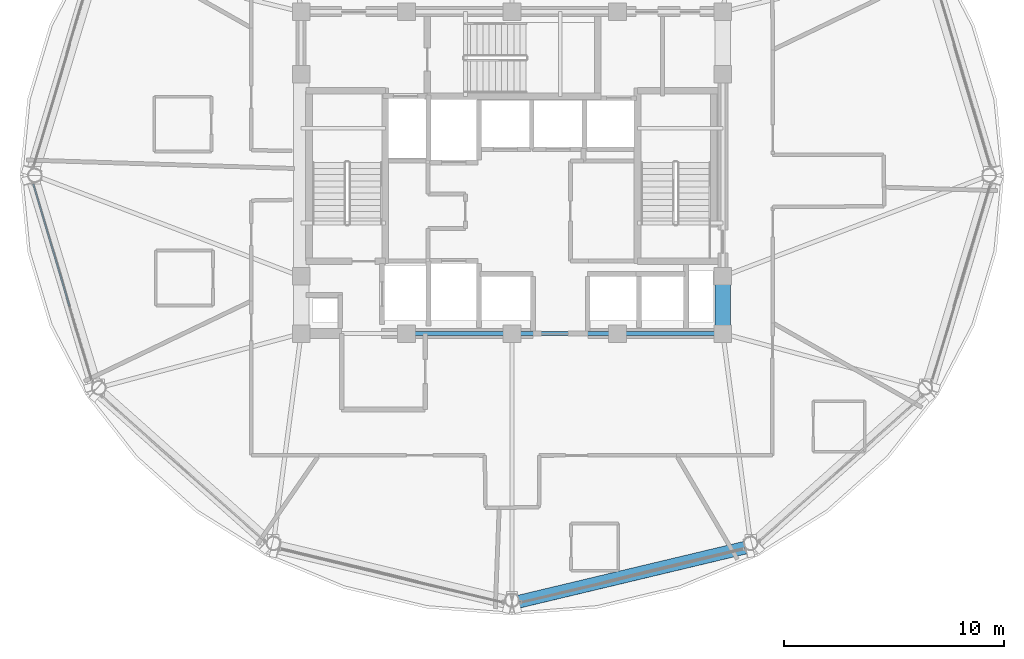
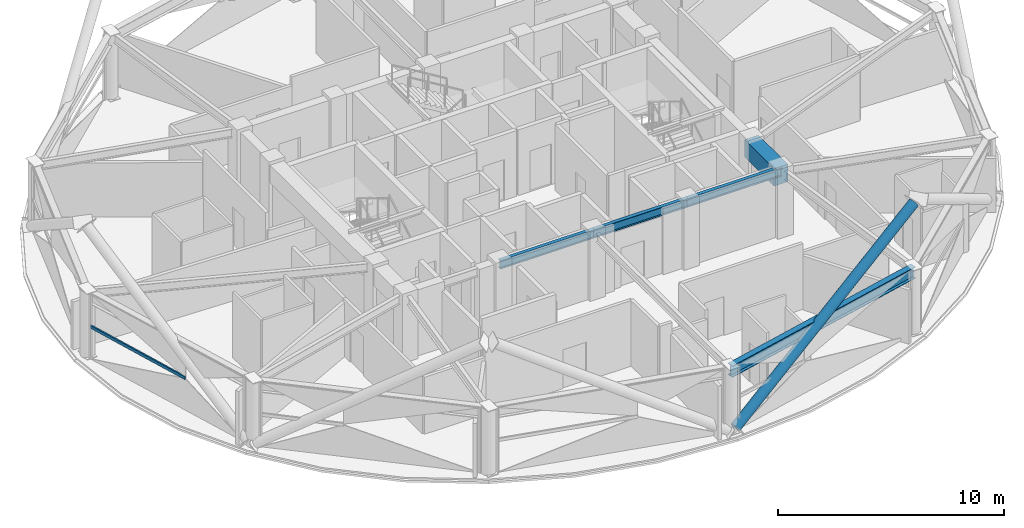
# One storey, part 6 of 29: 5 beams, 2 members, 1 element without a shape of its own.
"""IFC4 building model written with IfcOpenShell, lengths in metres."""

from ifc_helpers import new_model, si_unit, direction, frame, origin, origin_2d, place, context, subcontext, project, spatial, rectangle, hollow_rectangle, hollow_circle, i_section, extrude, material, layer, layer_set, material_profile, profile_set, type_object, element, aggregate, save


model = new_model("IFC4")

# Units and contexts
model_context = context("Model", 3, precision=1e-05, world=origin(), true_north=direction((0.0, 1.0)))
body_context = subcontext(model_context, "Body", "Model", "MODEL_VIEW")
ifc_project = project(units=[si_unit("LENGTHUNIT", "METRE"), si_unit("AREAUNIT", "SQUARE_METRE"), si_unit("VOLUMEUNIT", "CUBIC_METRE"), si_unit("PLANEANGLEUNIT", "RADIAN"), si_unit("MASSUNIT", "GRAM", prefix="KILO")], contexts=[model_context])

# Site, building, storey
site_placement = place(None, origin())
site = spatial("IfcSite", under=ifc_project, at=site_placement, CompositionType="ELEMENT")
building_placement = place(site_placement, origin())
building = spatial("IfcBuilding", under=site, at=building_placement, Name="Vantalir Tower", CompositionType="ELEMENT")
storey_placement = place(building_placement, frame((0.0, 0.0, 234.89990234375)))
storey = spatial("IfcBuildingStorey", under=building, at=storey_placement, Name="L59", CompositionType="ELEMENT", Elevation=234.89990234375)

# Beams
ifc_material_1 = material(Name="Concrete C60/75", Category="concrete")
ifc_material_profile_1 = material_profile(ifc_material_1, rectangle(XDim=0.699951171875, YDim=0.949951171875, at=origin_2d()), Name="Concrete C60/75")
ifc_profile_set_1 = profile_set([ifc_material_profile_1], Name="Concrete C60/75")
beam_type_1 = type_object("IfcBeamType", Name="BM-CB-700x950", PredefinedType="USERDEFINED", material=ifc_profile_set_1)
beam_1_placement = place(storey_placement, frame((41.10009765625, 17.800048828125, 3.09521484375), z_axis=(0.0, 1.0, 0.0), x_axis=(-1.0, 0.0, 0.0)))
element("IfcBeam", 1, at=beam_1_placement, inside=storey, type_object=beam_type_1, Name="L59 Core Coupling Girder 05", ObjectType="GIRDER", PredefinedType="USERDEFINED", context=body_context, shape_type="SweptSolid", body=[
    extrude(rectangle(XDim=0.699951171875, YDim=0.949951171875, at=origin_2d()), origin(), (0.0, 0.0, 1.0), 2.599853515625),
])
ifc_material_2 = material(Name="Steel S355", Category="steel")
ifc_material_profile_2 = material_profile(ifc_material_2, i_section(OverallWidth=0.19189453125, OverallDepth=0.462890625, WebThickness=0.010498046875, FlangeThickness=0.017578125, at=origin_2d()), Name="Steel S355")
ifc_profile_set_2 = profile_set([ifc_material_profile_2], Name="Steel S355")
beam_type_2 = type_object("IfcBeamType", Name="BM-RB-457x191", PredefinedType="BEAM", material=ifc_profile_set_2)
for number, where, z_axis, x_axis, name in (
    (2, (26.699951171875, 17.800048828125, 3.338134765625), (1.0, 0.0, 0.0), (0.0, 1.0, 0.0), "L59 Core Coupling Girder 02"),
    (3, (31.5, 17.800048828125, 3.338134765625), (1.0, 0.0, 0.0), (0.0, 1.0, 0.0), "L59 Core Coupling Girder 03"),
    (4, (36.300048828125, 17.800048828125, 3.338134765625), (1.0, 0.0, 0.0), (0.0, 1.0, 0.0), "L59 Core Coupling Girder 04"),
):
    element("IfcBeam", number, at=place(storey_placement, frame(where, z_axis=z_axis, x_axis=x_axis)), inside=storey, type_object=beam_type_2, Name=name, PredefinedType="BEAM", context=body_context, shape_type="SweptSolid", body=[
        extrude(i_section(OverallWidth=0.19189453125, OverallDepth=0.462890625, WebThickness=0.010498046875, FlangeThickness=0.017578125, at=origin_2d()), origin(), (0.0, 0.0, 1.0), 4.800048828125),
    ])
ifc_material_3 = material(Name="Steel S460", Category="steel")
ifc_material_profile_3 = material_profile(ifc_material_3, i_section(OverallWidth=0.306884765625, OverallDepth=0.6201171875, WebThickness=0.01416015625, FlangeThickness=0.023681640625, at=origin_2d()), Name="Steel S460")
ifc_profile_set_3 = profile_set([ifc_material_profile_3], Name="Steel S460")
beam_type_3 = type_object("IfcBeamType", Name="BM-RG-610x305", PredefinedType="USERDEFINED", material=ifc_profile_set_3)
beam_2_placement = place(storey_placement, frame((31.5, 5.6669921875, 3.260009765625), z_axis=(0.97271250926, 0.23201373737, 0.0), x_axis=(-0.23201373737, 0.97271250926, 0.0)))
element("IfcBeam", 5, at=beam_2_placement, inside=storey, type_object=beam_type_3, Name="L59 Circumferential Ring Girder 10", ObjectType="GIRDER", PredefinedType="USERDEFINED", context=body_context, shape_type="SweptSolid", body=[
    extrude(i_section(OverallWidth=0.306884765625, OverallDepth=0.6201171875, WebThickness=0.01416015625, FlangeThickness=0.023681640625, at=origin_2d()), origin(), (0.0, 0.0, 1.0), 11.16357421875),
])

# Curtain wall, member
ifc_material_4 = material(Name="Champagne-silver PVDF aluminium and double-silver Low-E glass", Category="aluminium")
ifc_layer = layer(ifc_material_4, 0.2099609375)
ifc_layer_set = layer_set([ifc_layer], Name="Champagne-silver PVDF aluminium and double-silver Low-E glass")
curtain_wall_type = type_object("IfcCurtainWallType", Name="CW-DIAMOND-Z3", PredefinedType="USERDEFINED", material=ifc_layer_set)
curtain_wall_placement = place(storey_placement, origin())
curtain_wall = element("IfcCurtainWall", 6, at=curtain_wall_placement, inside=storey, type_object=curtain_wall_type, Name="L59 Quilted Pyramid-Diamond Curtain Wall S07", ObjectType="UNITISED CURTAIN WALL", PredefinedType="USERDEFINED")
ifc_material_5 = material(Name="Champagne-silver PVDF aluminium 6063-T6", Category="aluminium")
ifc_material_profile_4 = material_profile(ifc_material_5, hollow_rectangle(XDim=0.074951171875, YDim=0.159912109375, WallThickness=0.00390625, at=origin_2d()), Name="Champagne-silver PVDF aluminium 6063-T6")
ifc_profile_set_4 = profile_set([ifc_material_profile_4], Name="Champagne-silver PVDF aluminium 6063-T6")
member_type_1 = type_object("IfcMemberType", Name="CWT-160x75", PredefinedType="USERDEFINED", material=ifc_profile_set_4)
member_1_placement = place(storey_placement, frame((9.7099609375, 24.60693359375, 1.78515625), z_axis=(0.28395815918, -0.958836672137, 0.0), x_axis=(0.958836672137, 0.28395815918, 0.0)))
member_1 = element("IfcMember", 7, at=member_1_placement, type_object=member_type_1, Name="CW-L59-S07 Pyramid Fold Ridge Transom", ObjectType="TRANSOM", PredefinedType="USERDEFINED", context=body_context, shape_type="SweptSolid", body=[
    extrude(hollow_rectangle(XDim=0.074951171875, YDim=0.159912109375, WallThickness=0.00390625, at=origin_2d()), origin(), (0.0, 0.0, 1.0), 5.811279296875),
])
aggregate(curtain_wall, [member_1])

# Member
ifc_material_profile_5 = material_profile(ifc_material_3, hollow_circle(Radius=0.25, WallThickness=0.031982421875, at=origin_2d()), Name="Steel S460")
ifc_profile_set_5 = profile_set([ifc_material_profile_5], Name="Steel S460")
member_type_2 = type_object("IfcMemberType", Name="MEM-DB-500x32", PredefinedType="BRACE", material=ifc_profile_set_5)
member_2_placement = place(storey_placement, frame((31.680908203125, 5.52001953125, 0.197998046875), z_axis=(0.820779852359, 0.196052589835, 0.536548055612), x_axis=(-0.232325647217, 0.972638058913, 0.0)))
element("IfcMember", 8, at=member_2_placement, inside=storey, type_object=member_type_2, Name="L59 Perimeter S460 Diagrid Brace R28L", PredefinedType="BRACE", context=body_context, shape_type="SweptSolid", body=[
    extrude(hollow_circle(Radius=0.25, WallThickness=0.031982421875, at=origin_2d()), origin(), (0.0, 0.0, 1.0), 12.90478515625),
])

save(model, "model.ifc")
